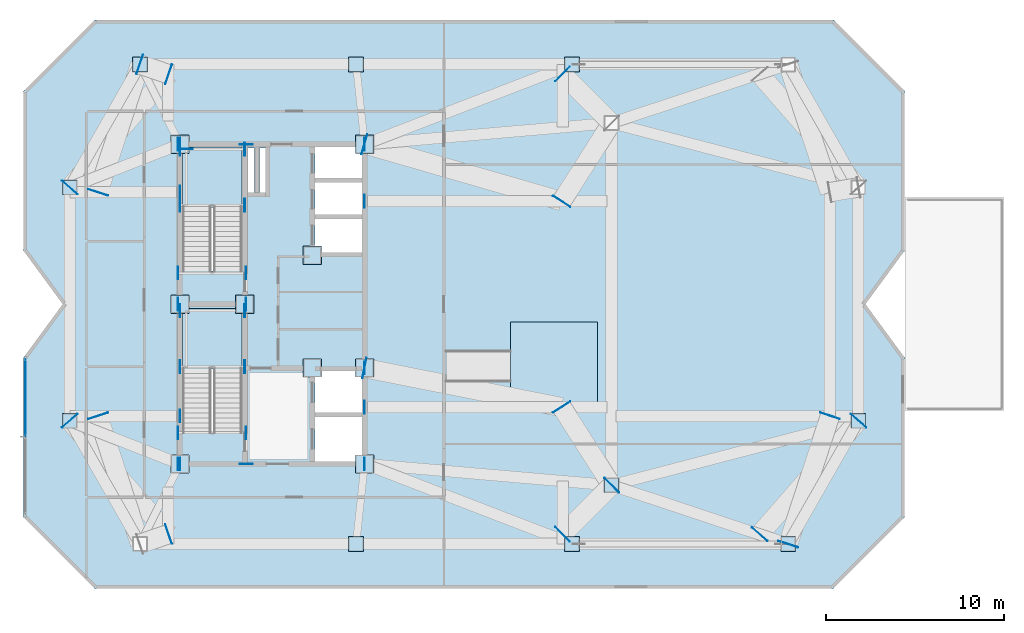
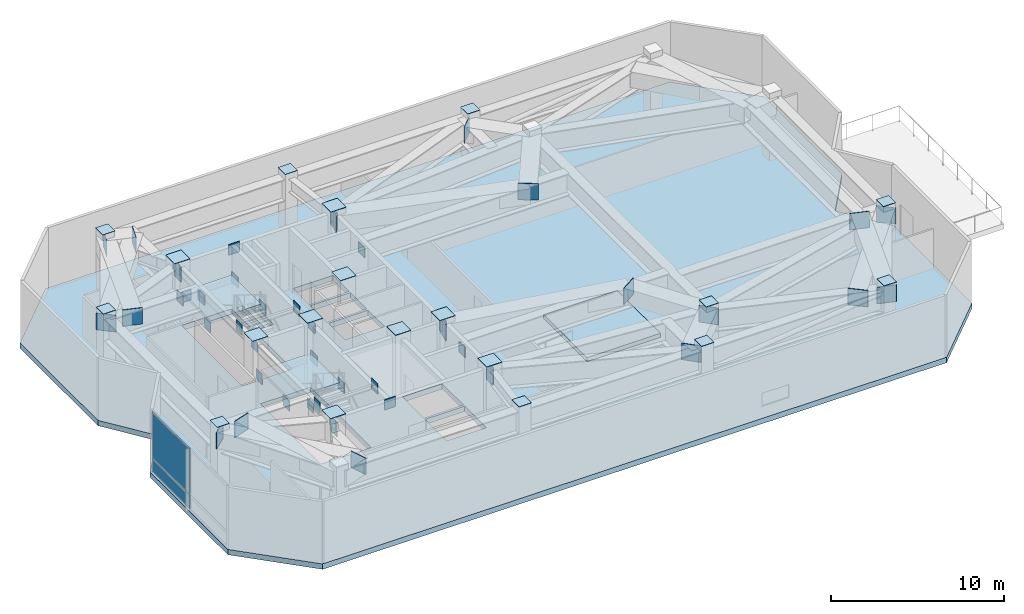
# One storey, part 5 of 11: 75 plates, 4 slabs, 3 elements without a shape of their own.
"""IFC4 building model written with IfcOpenShell, lengths in metres."""

from ifc_helpers import new_model, si_unit, direction, frame, origin, origin_2d, place, context, subcontext, project, spatial, polyline, rectangle, outline, extrude, material, layer, layer_set, type_object, element, aggregate, save


model = new_model("IFC4")

# Units and contexts
model_context = context("Model", 3, precision=1e-05, world=origin(), true_north=direction((0.0, 1.0)))
body_context = subcontext(model_context, "Body", "Model", "MODEL_VIEW")
ifc_project = project(units=[si_unit("LENGTHUNIT", "METRE"), si_unit("AREAUNIT", "SQUARE_METRE"), si_unit("VOLUMEUNIT", "CUBIC_METRE"), si_unit("PLANEANGLEUNIT", "RADIAN"), si_unit("MASSUNIT", "GRAM", prefix="KILO")], contexts=[model_context])

# Site, building, storey
site_placement = place(None, origin())
site = spatial("IfcSite", under=ifc_project, at=site_placement, CompositionType="ELEMENT")
building_placement = place(site_placement, origin())
building = spatial("IfcBuilding", under=site, at=building_placement, Name="Khamvora Tower", CompositionType="ELEMENT")
storey_placement = place(building_placement, frame((0.0, 0.0, 264.64990234375)))
storey = spatial("IfcBuildingStorey", under=building, at=storey_placement, Name="L68", CompositionType="ELEMENT", Elevation=264.64990234375)

# Curtain wall, plates
ifc_material_1 = material(Name="Anodised Aluminium 6063-T6", Category="aluminium")
curtain_wall_type = type_object("IfcCurtainWallType", Name="CW-SYS-06", PredefinedType="NOTDEFINED", material=ifc_material_1)
curtain_wall_placement = place(storey_placement, origin())
curtain_wall = element("IfcCurtainWall", 1, at=curtain_wall_placement, inside=storey, type_object=curtain_wall_type, Name="L68 stick curtain wall 02.1", PredefinedType="NOTDEFINED")
ifc_material_2 = material(Name="Low-E Laminated Double Glazing", Category="glass")
ifc_layer_1 = layer(ifc_material_2, 0.0380859375)
ifc_layer_set_1 = layer_set([ifc_layer_1], Name="Low-E Laminated Double Glazing")
plate_type_1 = type_object("IfcPlateType", Name="CW-SYS-06-PNL", PredefinedType="CURTAIN_PANEL", material=ifc_layer_set_1)
plate_1_placement = place(storey_placement, frame((20.300048828125, 22.731201171875, 0.080078125), z_axis=(0.0, 0.0, 1.0), x_axis=(0.0, 1.0, 0.0)))
plate_1 = element("IfcPlate", 2, at=plate_1_placement, type_object=plate_type_1, Name="CW-06 panel 2.1", PredefinedType="CURTAIN_PANEL", context=body_context, shape_type="SweptSolid", body=[
    extrude(rectangle(XDim=4.3115234375, YDim=0.0380859375, at=origin_2d()), origin(), (0.0, 0.0, 1.0), 0.929931640625),
])
plate_2_placement = place(storey_placement, frame((20.300048828125, 22.731201171875, 1.090087890625), z_axis=(0.0, 0.0, 1.0), x_axis=(0.0, 1.0, 0.0)))
plate_2 = element("IfcPlate", 3, at=plate_2_placement, type_object=plate_type_1, Name="CW-06 panel 2.2", PredefinedType="CURTAIN_PANEL", context=body_context, shape_type="SweptSolid", body=[
    extrude(rectangle(XDim=4.3115234375, YDim=0.0380859375, at=origin_2d()), origin(), (0.0, 0.0, 1.0), 3.2099609375),
])
aggregate(curtain_wall, [plate_1, plate_2])

# Plates
ifc_material_3 = material(Name="Steel S355", Category="steel")
ifc_layer_2 = layer(ifc_material_3, 0.02490234375)
ifc_layer_set_2 = layer_set([ifc_layer_2], Name="Steel S355")
plate_type_2 = type_object("IfcPlateType", Name="PL-CAP-25", PredefinedType="SHEET", material=ifc_layer_set_2)
for number, where, z_axis, x_axis, name in (
    (4, (29.0, 19.0, 4.775634765625), (0.0, 0.0, 1.0), (1.0, 0.0, 0.0), "L68 hollow section steel end cap plate 0005"),
    (5, (32.64990234375, 28.0, 4.775634765625), (0.0, 0.0, 1.0), (1.0, 0.0, 0.0), "L68 hollow section steel end cap plate 0011"),
    (6, (39.39990234375, 19.0, 4.775634765625), (0.0, 0.0, 1.0), (1.0, 0.0, 0.0), "L68 hollow section steel end cap plate 0017"),
    (7, (29.0, 28.0, 4.775634765625), (0.0, 0.0, 1.0), (1.0, 0.0, 0.0), "L68 hollow section steel end cap plate 0023"),
    (8, (36.449951171875, 24.39990234375, 4.775634765625), (0.0, 0.0, 1.0), (1.0, 0.0, 0.0), "L68 hollow section steel end cap plate 0029"),
    (9, (39.39990234375, 24.39990234375, 4.775634765625), (0.0, 0.0, 1.0), (1.0, 0.0, 0.0), "L68 hollow section steel end cap plate 0035"),
    (10, (29.0, 37.0, 4.775634765625), (0.0, 0.0, 1.0), (1.0, 0.0, 0.0), "L68 hollow section steel end cap plate 0041"),
    (11, (36.449951171875, 30.75, 4.775634765625), (0.0, 0.0, 1.0), (1.0, 0.0, 0.0), "L68 hollow section steel end cap plate 0047"),
    (12, (39.39990234375, 37.0, 4.775634765625), (0.0, 0.0, 1.0), (1.0, 0.0, 0.0), "L68 hollow section steel end cap plate 0053"),
):
    element("IfcPlate", number, at=place(storey_placement, frame(where, z_axis=z_axis, x_axis=x_axis)), inside=storey, type_object=plate_type_2, Name=name, PredefinedType="SHEET", context=body_context, shape_type="SweptSolid", body=[
        extrude(rectangle(XDim=1.030029296875, YDim=1.030029296875, at=origin_2d()), origin(), (0.0, 0.0, 1.0), 0.02490234375),
    ])
for number, where, z_axis, x_axis, name in (
    (13, (38.919921875, 14.5, 4.775634765625), (0.0, 0.0, 1.0), (1.0, 0.0, 0.0), "L68 hollow section steel end cap plate 0233"),
    (14, (51.080078125, 14.5, 4.775634765625), (0.0, 0.0, 1.0), (1.0, 0.0, 0.0), "L68 hollow section steel end cap plate 0235"),
    (15, (63.25, 14.5, 4.775634765625), (0.0, 0.0, 1.0), (1.0, 0.0, 0.0), "L68 hollow section steel end cap plate 0237"),
    (16, (26.75, 41.5, 4.775634765625), (0.0, 0.0, 1.0), (1.0, 0.0, 0.0), "L68 hollow section steel end cap plate 0239"),
    (17, (38.919921875, 41.5, 4.775634765625), (0.0, 0.0, 1.0), (1.0, 0.0, 0.0), "L68 hollow section steel end cap plate 0241"),
    (18, (51.080078125, 41.5, 4.775634765625), (0.0, 0.0, 1.0), (1.0, 0.0, 0.0), "L68 hollow section steel end cap plate 0243"),
    (19, (22.800048828125, 21.429931640625, 4.775634765625), (0.0, 0.0, 1.0), (1.0, 0.0, 0.0), "L68 hollow section steel end cap plate 0247"),
    (20, (22.800048828125, 34.580078125, 4.775634765625), (0.0, 0.0, 1.0), (1.0, 0.0, 0.0), "L68 hollow section steel end cap plate 0249"),
    (21, (67.199951171875, 21.429931640625, 4.775634765625), (0.0, 0.0, 1.0), (1.0, 0.0, 0.0), "L68 hollow section steel end cap plate 0251"),
    (22, (53.300048828125, 17.800048828125, 4.775634765625), (0.0, 0.0, 1.0), (1.0, 0.0, 0.0), "L68 hollow section steel end cap plate 0255"),
):
    element("IfcPlate", number, at=place(storey_placement, frame(where, z_axis=z_axis, x_axis=x_axis)), inside=storey, type_object=plate_type_2, Name=name, PredefinedType="SHEET", context=body_context, shape_type="SweptSolid", body=[
        extrude(rectangle(XDim=0.830078125, YDim=0.830078125, at=origin_2d()), origin(), (0.0, 0.0, 1.0), 0.02490234375),
    ])
for number, where, z_axis, x_axis, name in (
    (23, (28.362060546875, 15.053955078125, 3.25), (0.0, 0.0, 1.0), (0.945688913069, 0.325073037483, 0.0), "L68 hollow section steel end cap plate 1191"),
    (24, (22.7919921875, 21.43408203125, 3.25), (0.0, 0.0, 1.0), (0.656612083693, -0.75422846111, 0.0), "L68 hollow section steel end cap plate 1192"),
    (25, (53.30908203125, 17.80908203125, 3.25), (0.0, 0.0, 1.0), (-0.707106781187, -0.707106781187, 0.0), "L68 hollow section steel end cap plate 1193"),
    (26, (50.541015625, 15.041015625, 3.25), (0.0, 0.0, 1.0), (-0.707106781187, -0.707106781187, 0.0), "L68 hollow section steel end cap plate 1194"),
    (27, (67.2080078125, 21.43408203125, 3.25), (0.0, 0.0, 1.0), (-0.656612083693, -0.75422846111, 0.0), "L68 hollow section steel end cap plate 1195"),
    (28, (61.64208984375, 15.041015625, 3.25), (0.0, 0.0, 1.0), (-0.656612083693, -0.75422846111, 0.0), "L68 hollow section steel end cap plate 1196"),
    (29, (26.738037109375, 41.50390625, 3.25), (0.0, 0.0, 1.0), (0.945688913069, -0.325073037483, 0.0), "L68 hollow section steel end cap plate 1197"),
    (30, (28.362060546875, 40.946044921875, 3.25), (0.0, 0.0, 1.0), (0.945688913069, -0.325073037483, 0.0), "L68 hollow section steel end cap plate 1198"),
    (31, (22.7919921875, 34.56591796875, 3.25), (0.0, 0.0, 1.0), (0.656612083693, 0.75422846111, 0.0), "L68 hollow section steel end cap plate 1199"),
    (32, (50.541015625, 40.958984375, 3.25), (0.0, 0.0, 1.0), (-0.707106781187, 0.707106781187, 0.0), "L68 hollow section steel end cap plate 1201"),
    (33, (24.39599609375, 21.7119140625, 3.25), (0.0, 0.0, 1.0), (-0.310278251288, 0.950645784074, 0.0), "L68 hollow section steel end cap plate 1204"),
    (34, (24.39599609375, 34.2880859375, 3.25), (0.0, 0.0, 1.0), (-0.310278251288, -0.950645784074, 0.0), "L68 hollow section steel end cap plate 1205"),
    (35, (63.24609375, 14.488037109375, 3.25), (0.0, 0.0, 1.0), (0.310278251288, 0.950645784074, 0.0), "L68 hollow section steel end cap plate 1206"),
    (36, (65.60400390625, 21.7119140625, 3.25), (0.0, 0.0, 1.0), (0.310278251288, 0.950645784074, 0.0), "L68 hollow section steel end cap plate 1207"),
    (37, (50.492919921875, 22.2109375, 3.25), (0.0, 0.0, 1.0), (-0.536872660771, 0.84366328954, 0.0), "L68 hollow section steel end cap plate 1211"),
    (38, (39.387939453125, 24.402099609375, 3.25), (0.0, 0.0, 1.0), (0.980917846953, -0.194422677509, 0.0), "L68 hollow section steel end cap plate 1212"),
    (39, (50.492919921875, 33.7890625, 3.25), (0.0, 0.0, 1.0), (-0.536872660771, -0.84366328954, 0.0), "L68 hollow section steel end cap plate 1213"),
    (40, (39.387939453125, 37.0029296875, 3.25), (0.0, 0.0, 1.0), (0.960866227711, -0.277012801949, 0.0), "L68 hollow section steel end cap plate 1214"),
):
    element("IfcPlate", number, at=place(storey_placement, frame(where, z_axis=z_axis, x_axis=x_axis)), inside=storey, type_object=plate_type_2, Name=name, PredefinedType="SHEET", context=body_context, shape_type="SweptSolid", body=[
        extrude(rectangle(XDim=0.02490234375, YDim=1.159912109375, at=origin_2d()), origin(), (0.0, 0.0, 1.0), 1.159912109375),
    ])
ifc_material_4 = material(Name="Steel S460", Category="steel")
ifc_layer_3 = layer(ifc_material_4, 0.034912109375)
ifc_layer_set_3 = layer_set([ifc_layer_3], Name="Steel S460")
plate_type_3 = type_object("IfcPlateType", Name="PL-EMB-35", PredefinedType="SHEET", material=ifc_layer_set_3)
for number, where, z_axis, x_axis, name in (
    (41, (29.0, 24.47509765625, 1.708984375), (0.0, 0.0, 1.0), (1.0, 0.0, 0.0), "L68 core shear wall cast-in embed plate 1974"),
    (42, (32.64990234375, 24.47509765625, 1.708984375), (0.0, 0.0, 1.0), (1.0, 0.0, 0.0), "L68 core shear wall cast-in embed plate 1975"),
    (43, (29.0, 27.6298828125, 1.708984375), (0.0, 0.0, 1.0), (1.0, 0.0, 0.0), "L68 core shear wall cast-in embed plate 1976"),
    (44, (32.64990234375, 27.6298828125, 1.708984375), (0.0, 0.0, 1.0), (1.0, 0.0, 0.0), "L68 core shear wall cast-in embed plate 1977"),
    (45, (29.0, 33.574951171875, 1.708984375), (0.0, 0.0, 1.0), (1.0, 0.0, 0.0), "L68 core shear wall cast-in embed plate 1978"),
    (46, (32.64990234375, 33.574951171875, 1.708984375), (0.0, 0.0, 1.0), (1.0, 0.0, 0.0), "L68 core shear wall cast-in embed plate 1979"),
    (47, (29.0, 36.72998046875, 1.708984375), (0.0, 0.0, 1.0), (1.0, 0.0, 0.0), "L68 core shear wall cast-in embed plate 1980"),
    (48, (32.64990234375, 36.72998046875, 1.708984375), (0.0, 0.0, 1.0), (1.0, 0.0, 0.0), "L68 core shear wall cast-in embed plate 1981"),
):
    element("IfcPlate", number, at=place(storey_placement, frame(where, z_axis=z_axis, x_axis=x_axis)), inside=storey, type_object=plate_type_3, Name=name, PredefinedType="SHEET", context=body_context, shape_type="SweptSolid", body=[
        extrude(rectangle(XDim=0.034912109375, YDim=0.719970703125, at=origin_2d()), origin(), (0.0, 0.0, 1.0), 0.719970703125),
    ])
plate_3_placement = place(storey_placement, frame((29.35009765625, 36.72998046875, 1.708984375), z_axis=(0.0, 0.0, 1.0), x_axis=(1.0, 0.0, 0.0)))
element("IfcPlate", 49, at=plate_3_placement, inside=storey, type_object=plate_type_3, Name="L68 core shear wall cast-in embed plate 1982", PredefinedType="SHEET", context=body_context, shape_type="SweptSolid", body=[
    extrude(rectangle(XDim=0.719970703125, YDim=0.034912109375, at=origin_2d()), origin(), (0.0, 0.0, 1.0), 0.719970703125),
])
for number, where, z_axis, x_axis, name in (
    (50, (29.0, 19.0, 3.55322265625), (0.0, 0.0, 1.0), (1.0, 0.0, 0.0), "L68 core shear wall cast-in embed plate 1983"),
    (51, (39.39990234375, 19.0, 3.55322265625), (0.0, 0.0, 1.0), (1.0, 0.0, 0.0), "L68 core shear wall cast-in embed plate 1984"),
    (52, (39.39990234375, 19.0, 3.2451171875), (0.0, 0.0, 1.0), (1.0, 0.0, 0.0), "L68 core shear wall cast-in embed plate 1985"),
    (53, (29.0, 37.0, 3.55322265625), (0.0, 0.0, 1.0), (1.0, 0.0, 0.0), "L68 core shear wall cast-in embed plate 1986"),
    (54, (39.39990234375, 37.0, 3.55322265625), (0.0, 0.0, 1.0), (1.0, 0.0, 0.0), "L68 core shear wall cast-in embed plate 1987"),
    (55, (39.39990234375, 37.0, 3.2451171875), (0.0, 0.0, 1.0), (1.0, 0.0, 0.0), "L68 core shear wall cast-in embed plate 1988"),
    (56, (29.0, 19.0, 3.2451171875), (0.0, 0.0, 1.0), (1.0, 0.0, 0.0), "L68 core shear wall cast-in embed plate 1989"),
    (57, (29.0, 37.0, 3.2451171875), (0.0, 0.0, 1.0), (1.0, 0.0, 0.0), "L68 core shear wall cast-in embed plate 1990"),
    (58, (28.89990234375, 19.0, 3.7529296875), (0.0, 0.0, 1.0), (1.0, 0.0, 0.0), "L68 core shear wall cast-in embed plate 1991"),
    (59, (28.89990234375, 28.0, 3.7529296875), (0.0, 0.0, 1.0), (1.0, 0.0, 0.0), "L68 core shear wall cast-in embed plate 1992"),
    (60, (28.89990234375, 37.0, 3.7529296875), (0.0, 0.0, 1.0), (1.0, 0.0, 0.0), "L68 core shear wall cast-in embed plate 1993"),
):
    element("IfcPlate", number, at=place(storey_placement, frame(where, z_axis=z_axis, x_axis=x_axis)), inside=storey, type_object=plate_type_3, Name=name, PredefinedType="SHEET", context=body_context, shape_type="SweptSolid", body=[
        extrude(rectangle(XDim=0.034912109375, YDim=0.719970703125, at=origin_2d()), origin(), (0.0, 0.0, 1.0), 0.719970703125),
    ])
plate_4_placement = place(storey_placement, frame((32.72998046875, 19.0, 3.7529296875), z_axis=(0.0, 0.0, 1.0), x_axis=(1.0, 0.0, 0.0)))
element("IfcPlate", 61, at=plate_4_placement, inside=storey, type_object=plate_type_3, Name="L68 core shear wall cast-in embed plate 1994", PredefinedType="SHEET", context=body_context, shape_type="SweptSolid", body=[
    extrude(rectangle(XDim=0.719970703125, YDim=0.034912109375, at=origin_2d()), origin(), (0.0, 0.0, 1.0), 0.719970703125),
])
plate_5_placement = place(storey_placement, frame((32.72998046875, 28.0, 3.7529296875), z_axis=(0.0, 0.0, 1.0), x_axis=(1.0, 0.0, 0.0)))
element("IfcPlate", 62, at=plate_5_placement, inside=storey, type_object=plate_type_3, Name="L68 core shear wall cast-in embed plate 1995", PredefinedType="SHEET", context=body_context, shape_type="SweptSolid", body=[
    extrude(rectangle(XDim=0.034912109375, YDim=0.719970703125, at=origin_2d()), origin(), (0.0, 0.0, 1.0), 0.719970703125),
])
plate_6_placement = place(storey_placement, frame((32.72998046875, 37.0, 3.7529296875), z_axis=(0.0, 0.0, 1.0), x_axis=(1.0, 0.0, 0.0)))
element("IfcPlate", 63, at=plate_6_placement, inside=storey, type_object=plate_type_3, Name="L68 core shear wall cast-in embed plate 1996", PredefinedType="SHEET", context=body_context, shape_type="SweptSolid", body=[
    extrude(rectangle(XDim=0.719970703125, YDim=0.034912109375, at=origin_2d()), origin(), (0.0, 0.0, 1.0), 0.719970703125),
])
for number, where, z_axis, x_axis, name in (
    (64, (39.39990234375, 19.0, 3.7529296875), (0.0, 0.0, 1.0), (1.0, 0.0, 0.0), "L68 core shear wall cast-in embed plate 1997"),
    (65, (39.39990234375, 24.39990234375, 3.7529296875), (0.0, 0.0, 1.0), (1.0, 0.0, 0.0), "L68 core shear wall cast-in embed plate 1998"),
    (66, (39.39990234375, 37.0, 3.7529296875), (0.0, 0.0, 1.0), (1.0, 0.0, 0.0), "L68 core shear wall cast-in embed plate 1999"),
    (67, (28.89990234375, 20.75, 3.89404296875), (0.0, 0.0, 1.0), (1.0, 0.0, 0.0), "L68 core shear wall cast-in embed plate 2000"),
    (68, (32.72998046875, 20.75, 3.89404296875), (0.0, 0.0, 1.0), (1.0, 0.0, 0.0), "L68 core shear wall cast-in embed plate 2001"),
    (69, (28.89990234375, 29.75, 3.89404296875), (0.0, 0.0, 1.0), (1.0, 0.0, 0.0), "L68 core shear wall cast-in embed plate 2002"),
    (70, (32.72998046875, 29.75, 3.89404296875), (0.0, 0.0, 1.0), (1.0, 0.0, 0.0), "L68 core shear wall cast-in embed plate 2003"),
    (71, (29.0, 21.699951171875, 3.2451171875), (0.0, 0.0, 1.0), (1.0, 0.0, 0.0), "L68 core shear wall cast-in embed plate 2004"),
    (72, (29.0, 34.300048828125, 3.2451171875), (0.0, 0.0, 1.0), (1.0, 0.0, 0.0), "L68 core shear wall cast-in embed plate 2005"),
    (73, (39.39990234375, 22.199951171875, 3.2451171875), (0.0, 0.0, 1.0), (1.0, 0.0, 0.0), "L68 core shear wall cast-in embed plate 2006"),
    (74, (39.39990234375, 33.800048828125, 3.2451171875), (0.0, 0.0, 1.0), (1.0, 0.0, 0.0), "L68 core shear wall cast-in embed plate 2007"),
    (75, (39.39990234375, 24.39990234375, 3.47021484375), (0.0, 0.0, 1.0), (1.0, 0.0, 0.0), "L68 core shear wall cast-in embed plate 2008"),
    (76, (39.39990234375, 37.0, 3.47021484375), (0.0, 0.0, 1.0), (1.0, 0.0, 0.0), "L68 core shear wall cast-in embed plate 2009"),
):
    element("IfcPlate", number, at=place(storey_placement, frame(where, z_axis=z_axis, x_axis=x_axis)), inside=storey, type_object=plate_type_3, Name=name, PredefinedType="SHEET", context=body_context, shape_type="SweptSolid", body=[
        extrude(rectangle(XDim=0.034912109375, YDim=0.719970703125, at=origin_2d()), origin(), (0.0, 0.0, 1.0), 0.719970703125),
    ])

# Slab
ifc_material_5 = material(Name="Concrete C40/50", Category="concrete")
ifc_layer_4 = layer(ifc_material_5, 0.3798828125)
ifc_layer_set_4 = layer_set([ifc_layer_4], Name="Concrete C40/50")
slab_type_1 = type_object("IfcSlabType", Name="SLB-FLR-380", PredefinedType="FLOOR", material=ifc_layer_set_4)
slab_1_placement = place(storey_placement, frame((0.0, 0.0, -0.3798828125)))
element("IfcSlab", 77, at=slab_1_placement, inside=storey, type_object=slab_type_1, Name="L68 structural floor slab", PredefinedType="FLOOR", context=body_context, shape_type="SweptSolid", body=[
    extrude(outline(polyline([(24.199951171875, 12.0), (65.800048828125, 12.0), (69.800048828125, 16.0), (69.800048828125, 25.0), (67.60009765625, 28.0), (69.800048828125, 31.0), (69.800048828125, 40.0), (65.800048828125, 44.0), (24.199951171875, 44.0), (20.199951171875, 40.0), (20.199951171875, 31.0), (22.39990234375, 28.0), (20.199951171875, 25.0), (20.199951171875, 16.0), (24.199951171875, 12.0)]), holes=[polyline([(32.5, 20.760009765625), (32.5, 27.75), (29.14990234375, 27.75), (29.14990234375, 20.760009765625), (32.5, 20.760009765625)]), polyline([(32.5, 29.860107421875), (32.5, 36.85009765625), (29.14990234375, 36.85009765625), (29.14990234375, 29.860107421875), (32.5, 29.860107421875)]), polyline([(36.60009765625, 19.14990234375), (39.25, 19.14990234375), (39.25, 21.64990234375), (36.60009765625, 21.64990234375), (36.60009765625, 19.14990234375)]), polyline([(36.60009765625, 21.800048828125), (39.25, 21.800048828125), (39.25, 24.25), (36.60009765625, 24.25), (36.60009765625, 21.800048828125)]), polyline([(36.60009765625, 30.89990234375), (39.25, 30.89990234375), (39.25, 32.800048828125), (36.60009765625, 32.800048828125), (36.60009765625, 30.89990234375)]), polyline([(36.60009765625, 32.949951171875), (39.25, 32.949951171875), (39.25, 34.85009765625), (36.60009765625, 34.85009765625), (36.60009765625, 32.949951171875)]), polyline([(36.60009765625, 35.0), (39.25, 35.0), (39.25, 36.85009765625), (36.60009765625, 36.85009765625), (36.60009765625, 35.0)]), polyline([(32.800048828125, 34.300048828125), (33.199951171875, 34.300048828125), (33.199951171875, 36.800048828125), (32.800048828125, 36.800048828125), (32.800048828125, 34.300048828125)]), polyline([(33.47998046875, 34.300048828125), (33.820068359375, 34.300048828125), (33.820068359375, 36.800048828125), (33.47998046875, 36.800048828125), (33.47998046875, 34.300048828125)])]), origin(), (0.0, 0.0, 1.0), 0.3798828125),
])

# Stair, slab
stair_type_1 = type_object("IfcStairType", Name="STR-ST-01", PredefinedType="HALF_TURN_STAIR", material=ifc_material_5)
stair_1_placement = place(storey_placement, origin())
stair_1 = element("IfcStair", 78, at=stair_1_placement, inside=storey, type_object=stair_type_1, Name="L68 South Tower Exit Stair ST-01", PredefinedType="HALF_TURN_STAIR")
ifc_layer_5 = layer(ifc_material_5, 0.199951171875)
ifc_layer_set_5 = layer_set([ifc_layer_5], Name="Concrete C40/50")
slab_type_2 = type_object("IfcSlabType", Name="SLB-LND-200", PredefinedType="LANDING", material=ifc_layer_set_5)
slab_2_placement = place(storey_placement, frame((0.0, 0.0, 2.2001953125)))
slab_2 = element("IfcSlab", 79, at=slab_2_placement, type_object=slab_type_2, Name="ST-01 landing 1", PredefinedType="LANDING", context=body_context, shape_type="SweptSolid", body=[
    extrude(outline(polyline([(32.5, 24.35498046875), (32.5, 27.75), (29.14990234375, 27.75), (29.14990234375, 24.35498046875), (32.5, 24.35498046875)])), origin(), (0.0, 0.0, 1.0), 0.199951171875),
])
aggregate(stair_1, [slab_2])

stair_type_2 = type_object("IfcStairType", Name="STR-ST-02", PredefinedType="HALF_TURN_STAIR", material=ifc_material_5)
stair_2_placement = place(storey_placement, origin())
stair_2 = element("IfcStair", 80, at=stair_2_placement, inside=storey, type_object=stair_type_2, Name="L68 North Tower Exit Stair ST-02", PredefinedType="HALF_TURN_STAIR")
slab_3_placement = place(storey_placement, frame((0.0, 0.0, 2.2001953125)))
slab_3 = element("IfcSlab", 81, at=slab_3_placement, type_object=slab_type_2, Name="ST-02 landing 1", PredefinedType="LANDING", context=body_context, shape_type="SweptSolid", body=[
    extrude(outline(polyline([(32.5, 33.455078125), (32.5, 36.85009765625), (29.14990234375, 36.85009765625), (29.14990234375, 33.455078125), (32.5, 33.455078125)])), origin(), (0.0, 0.0, 1.0), 0.199951171875),
])
aggregate(stair_2, [slab_3])

# Slab
ifc_material_6 = material(Name="Concrete C35/45", Category="concrete")
ifc_layer_6 = layer(ifc_material_6, 0.280029296875)
ifc_layer_set_6 = layer_set([ifc_layer_6], Name="Concrete C35/45")
slab_type_3 = type_object("IfcSlabType", Name="SLB-SCH-280", PredefinedType="FLOOR", material=ifc_layer_set_6)
slab_4_placement = place(storey_placement, origin())
element("IfcSlab", 82, at=slab_4_placement, inside=storey, type_object=slab_type_3, Name="L68 sky-pool raised lounge deck slab", PredefinedType="FLOOR", context=body_context, shape_type="SweptSolid", body=[
    extrude(outline(polyline([(47.60400390625, 22.0), (52.5, 22.0), (52.5, 27.0), (47.60400390625, 27.0), (47.60400390625, 22.0)])), origin(), (0.0, 0.0, 1.0), 0.280029296875),
])

save(model, "model.ifc")
